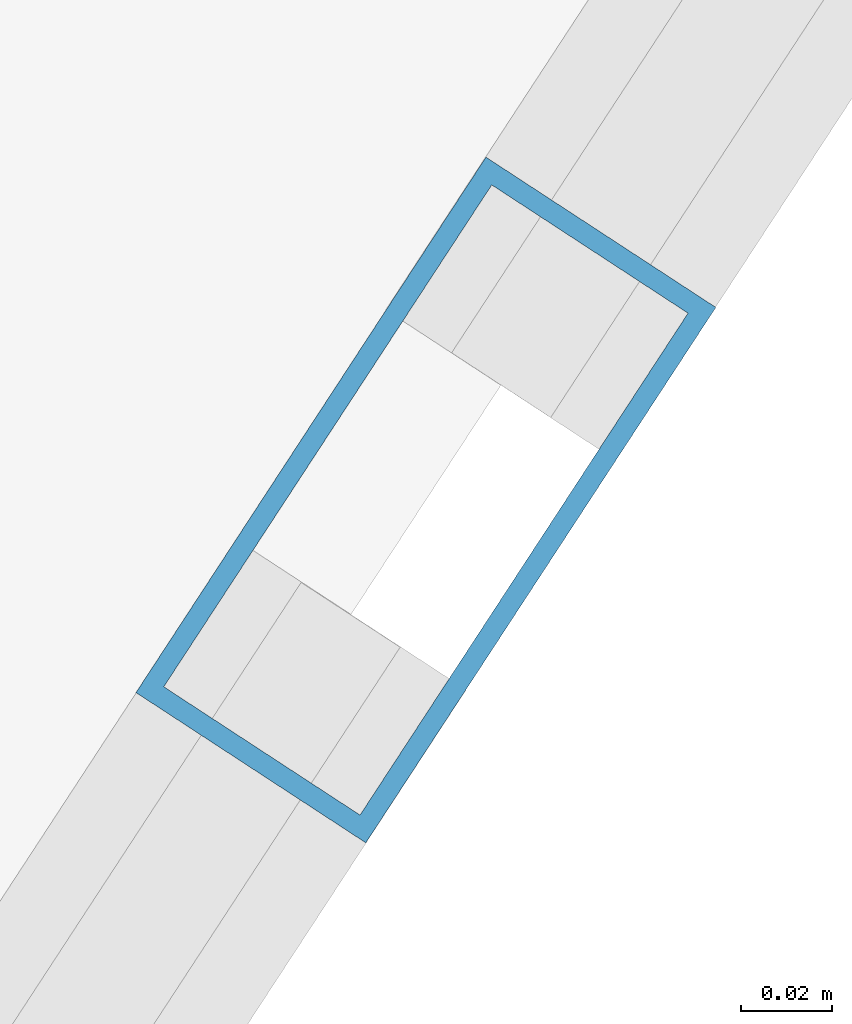
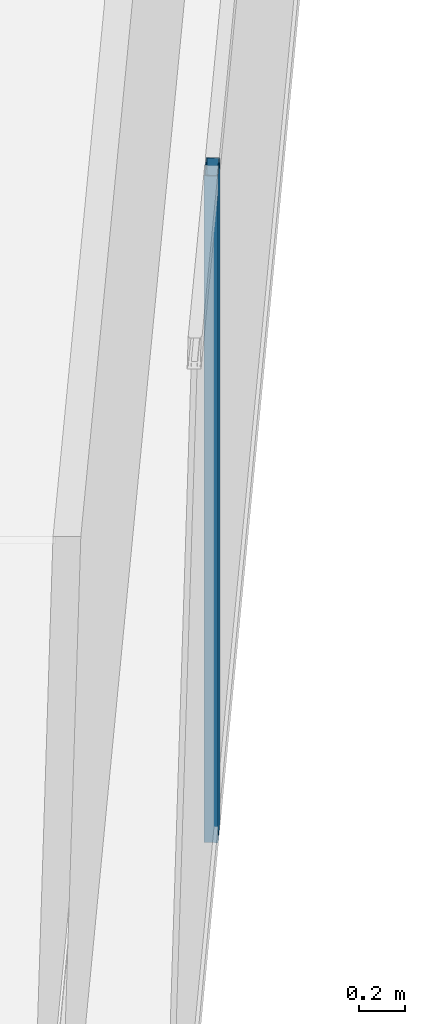
# One storey, part 14 of 25: 1 member, 1 element without a shape of its own.
"""IFC4 building model written with IfcOpenShell, lengths in metres."""

import ifcopenshell
import ifcopenshell.guid

model = None  # the IFC model being written
_history = None  # IfcOwnerHistory: only IFC2X3 demands one
_inside = {}  # id of a spatial element -> (the spatial element, [elements in it])
_under = {}  # id of a project, library or spatial element -> (it, [spatial elements below it])
_declared = {}  # id of a project -> (the project, [libraries it declares])
_typed = {}  # id of a type object -> (the type object, [elements of that type])
_made_of = {}  # id of a material, layer set ... -> (it, [elements and type objects made of it])


def new_model(schema):
    """Start an empty IFC model of exactly this schema.

    Asked for "IFC4X3", IfcOpenShell would pick the latest addendum, in which some entities
    have other attributes; the version numbers below select the first issue.
    IFC2X3 requires an IfcOwnerHistory on every rooted entity: one is made here for all.
    """
    global model, _history
    if schema == "IFC4X3":
        model = ifcopenshell.file(schema_version=(4, 3, 0, 0))
    else:
        model = ifcopenshell.file(schema=schema)
    _inside.clear()
    _under.clear()
    _declared.clear()
    _typed.clear()
    _made_of.clear()
    _history = None
    if model.schema == "IFC2X3":
        org = make("IfcOrganization", Name="unknown")
        user = make(
            "IfcPersonAndOrganization",
            ThePerson=make("IfcPerson", FamilyName="unknown"),
            TheOrganization=org,
        )
        app = make(
            "IfcApplication",
            ApplicationDeveloper=org,
            Version="unknown",
            ApplicationFullName="unknown",
            ApplicationIdentifier="unknown",
        )
        _history = make(
            "IfcOwnerHistory",
            OwningUser=user,
            OwningApplication=app,
            ChangeAction="ADDED",
            CreationDate=0,
        )
    return model


def make(cls, **values):
    """One entity of the class cls with the attributes given. An attribute that is None is left unset."""
    return model.create_entity(
        cls, **{name: value for name, value in values.items() if value is not None}
    )


def rooted(cls, **values):
    """An entity with a GlobalId (a new one), such as an element, a storey or a relation."""
    return make(cls, GlobalId=ifcopenshell.guid.new(), OwnerHistory=_history, **values)


def si_unit(unit_type, name, prefix=None):
    """IfcSIUnit, for example si_unit("LENGTHUNIT", "METRE", prefix="MILLI")."""
    return make("IfcSIUnit", UnitType=unit_type, Prefix=prefix, Name=name)


def assignment(units):
    """IfcUnitAssignment: the units of a project."""
    return None if units is None else make("IfcUnitAssignment", Units=units)


def point(xyz):
    """IfcCartesianPoint."""
    return None if xyz is None else make("IfcCartesianPoint", Coordinates=xyz)


def direction(xyz):
    """IfcDirection."""
    return None if xyz is None else make("IfcDirection", DirectionRatios=xyz)


def frame(location, z_axis=None, x_axis=None):
    """IfcAxis2Placement3D, a coordinate frame: its origin and axes. An axis left out is left unset."""
    return make(
        "IfcAxis2Placement3D",
        Location=point(location),
        Axis=direction(z_axis),
        RefDirection=direction(x_axis),
    )


def frame_2d(location, x_axis=None):
    """IfcAxis2Placement2D, a coordinate frame in the plane: its origin and x axis."""
    return make(
        "IfcAxis2Placement2D", Location=point(location), RefDirection=direction(x_axis)
    )


def origin():
    """The frame at (0, 0, 0) with its axes left unset."""
    return frame((0.0, 0.0, 0.0))


def origin_2d():
    """The frame at (0, 0) in the plane with its x axis left unset."""
    return frame_2d((0.0, 0.0))


def place(relative_to, where):
    """IfcLocalPlacement: puts the frame where relative to a parent placement (None: the world)."""
    return make(
        "IfcLocalPlacement", PlacementRelTo=relative_to, RelativePlacement=where
    )


def context(
    kind, dimensions, precision=None, world=None, true_north=None, identifier=None
):
    """IfcGeometricRepresentationContext, for example the 3D "Model" context."""
    return make(
        "IfcGeometricRepresentationContext",
        ContextIdentifier=identifier,
        ContextType=kind,
        CoordinateSpaceDimension=dimensions,
        Precision=precision,
        WorldCoordinateSystem=world,
        TrueNorth=true_north,
    )


def subcontext(parent, identifier, kind, view, scale=None):
    """IfcGeometricRepresentationSubContext, for example "Body" below "Model"."""
    return make(
        "IfcGeometricRepresentationSubContext",
        ContextIdentifier=identifier,
        ContextType=kind,
        ParentContext=parent,
        TargetScale=scale,
        TargetView=view,
    )


def project(units=None, contexts=None):
    """IfcProject with its units and contexts."""
    return rooted(
        "IfcProject",
        Name="project",
        RepresentationContexts=contexts,
        UnitsInContext=assignment(units),
    )


def spatial(cls, under=None, at=None, **own):
    """A site, building, storey or space (cls), placed at a placement, below another one or the project."""
    s = rooted(cls, ObjectPlacement=at, **own)
    if under is not None:
        _under.setdefault(under.id(), (under, []))[1].append(s)
    return s


def profile(cls, at=None, kind="AREA", **sizes):
    """A parametric profile (cls). Its sizes go by their IFC names, for example OverallWidth=200.0."""
    return make(cls, ProfileType=kind, Position=at, **sizes)


def hollow_rectangle(**sizes):
    """IfcRectangleHollowProfileDef."""
    return profile("IfcRectangleHollowProfileDef", **sizes)


def extrude(swept, where, along, depth):
    """IfcExtrudedAreaSolid: the profile swept, set in the frame where, extruded along a direction by depth."""
    return make(
        "IfcExtrudedAreaSolid",
        SweptArea=swept,
        Position=where,
        ExtrudedDirection=direction(along),
        Depth=depth,
    )


def shape(context_of_items, identifier, shape_type, items):
    """IfcShapeRepresentation: the items that make up one representation, for example the "Body"."""
    return make(
        "IfcShapeRepresentation",
        ContextOfItems=context_of_items,
        RepresentationIdentifier=identifier,
        RepresentationType=shape_type,
        Items=items,
    )


def material(Name=None, Category=None):
    """IfcMaterial."""
    return make("IfcMaterial", Name=Name, Category=Category)


def layer(
    of_material, thickness, ventilated=None, Name=None, Category=None, Priority=None
):
    """IfcMaterialLayer: one layer of a wall or slab, of a material (None: an air gap)."""
    return make(
        "IfcMaterialLayer",
        Material=of_material,
        LayerThickness=thickness,
        IsVentilated=ventilated,
        Name=Name,
        Category=Category,
        Priority=Priority,
    )


def layer_set(layers, Name=None):
    """IfcMaterialLayerSet."""
    return make("IfcMaterialLayerSet", MaterialLayers=layers, LayerSetName=Name)


def material_profile(
    of_material, cross_section, Name=None, Category=None, Priority=None
):
    """IfcMaterialProfile: a cross section and its material."""
    return make(
        "IfcMaterialProfile",
        Name=Name,
        Material=of_material,
        Profile=cross_section,
        Priority=Priority,
        Category=Category,
    )


def profile_set(profiles, Name=None, composite=None):
    """IfcMaterialProfileSet."""
    return make(
        "IfcMaterialProfileSet",
        Name=Name,
        MaterialProfiles=profiles,
        CompositeProfile=composite,
    )


def made_of(thing, what):
    """Note that an element or type object is made of a material, layer set ...; save() writes the relation."""
    if what is not None:
        _made_of.setdefault(what.id(), (what, []))[1].append(thing)
    return thing


def type_object(cls, material=None, **own):
    """A type object (cls), such as IfcWallType, which elements share."""
    return made_of(rooted(cls, **own), material)


def element(
    cls,
    number,
    at=None,
    inside=None,
    cuts=None,
    type_object=None,
    material=None,
    context=None,
    identifier="Body",
    shape_type=None,
    held_by="IfcProductDefinitionShape",
    body=None,
    shapes=None,
    **own,
):
    """One element of the class cls, such as IfcWall. Its Tag is "e" and its number.

    at: its placement. inside: the storey or other place that contains it. cuts: it is an
    opening in that element (IfcRelVoidsElement). A single representation is given by context,
    identifier, shape_type and body (its items); several are given by shapes. held_by: the class
    of the entity that holds the representations. save() writes the other relations.
    """
    e = rooted(cls, Tag="e%d" % number, ObjectPlacement=at, **own)
    if body is not None:
        shapes = [shape(context, identifier, shape_type, body)]
    if shapes is not None:
        e.Representation = make(held_by, Representations=shapes)
    if inside is not None:
        _inside.setdefault(inside.id(), (inside, []))[1].append(e)
    if cuts is not None:
        rooted(
            "IfcRelVoidsElement", RelatingBuildingElement=cuts, RelatedOpeningElement=e
        )
    if type_object is not None:
        _typed.setdefault(type_object.id(), (type_object, []))[1].append(e)
    return made_of(e, material)


def aggregate(whole, parts):
    """IfcRelAggregates: a whole, such as a stair, and the parts it consists of."""
    return rooted("IfcRelAggregates", RelatingObject=whole, RelatedObjects=parts)


def save(model, path):
    """Write the relations noted so far, then the file.

    IfcRelAggregates (storeys below a building ...), IfcRelContainedInSpatialStructure (elements
    in a storey), IfcRelDefinesByType, IfcRelAssociatesMaterial and IfcRelDeclares: one each for
    every whole, place, type object, material and project.
    """
    for whole, parts in _under.values():
        aggregate(whole, parts)
    for where, things in _inside.values():
        rooted(
            "IfcRelContainedInSpatialStructure",
            RelatedElements=things,
            RelatingStructure=where,
        )
    for kind, things in _typed.values():
        rooted("IfcRelDefinesByType", RelatedObjects=things, RelatingType=kind)
    for what, things in _made_of.values():
        rooted("IfcRelAssociatesMaterial", RelatedObjects=things, RelatingMaterial=what)
    for by, libraries in _declared.values():
        rooted("IfcRelDeclares", RelatingContext=by, RelatedDefinitions=libraries)
    model.write(path)


model = new_model("IFC4")

# Units and contexts
model_context = context("Model", 3, precision=1e-05, world=origin(), true_north=direction((0.0, 1.0)))
body_context = subcontext(model_context, "Body", "Model", "MODEL_VIEW")
ifc_project = project(units=[si_unit("LENGTHUNIT", "METRE"), si_unit("AREAUNIT", "SQUARE_METRE"), si_unit("VOLUMEUNIT", "CUBIC_METRE"), si_unit("PLANEANGLEUNIT", "RADIAN"), si_unit("MASSUNIT", "GRAM", prefix="KILO")], contexts=[model_context])

# Site, building, storey
site_placement = place(None, origin())
site = spatial("IfcSite", under=ifc_project, at=site_placement, CompositionType="ELEMENT")
building_placement = place(site_placement, origin())
building = spatial("IfcBuilding", under=site, at=building_placement, Name="Qianvela Tower", CompositionType="ELEMENT")
storey_placement = place(building_placement, frame((0.0, 0.0, 291.699951171875)))
storey = spatial("IfcBuildingStorey", under=building, at=storey_placement, Name="L75", CompositionType="ELEMENT", Elevation=291.699951171875)

# Curtain wall, member
ifc_material_1 = material(Name="Anodised Architectural Aluminium and Low-E Glass", Category="aluminium")
ifc_layer = layer(ifc_material_1, 0.14990234375)
ifc_layer_set = layer_set([ifc_layer], Name="Anodised Architectural Aluminium and Low-E Glass")
curtain_wall_type = type_object("IfcCurtainWallType", Name="CW-COLIV-Z78", PredefinedType="USERDEFINED", material=ifc_layer_set)
curtain_wall_placement = place(storey_placement, origin())
curtain_wall = element("IfcCurtainWall", 1, at=curtain_wall_placement, inside=storey, type_object=curtain_wall_type, Name="L75 CW-COLIV-Z78 Curtain Wall 06C", ObjectType="CURTAIN_WALL_SYSTEM", PredefinedType="USERDEFINED")
ifc_material_2 = material(Name="Anodised Architectural Aluminium 6063-T6", Category="aluminium")
ifc_material_profile = material_profile(ifc_material_2, hollow_rectangle(XDim=0.06005859375, YDim=0.139892578125, WallThickness=0.00439453125, at=origin_2d()), Name="ALU-MULL-60x140")
ifc_profile_set = profile_set([ifc_material_profile], Name="Anodised Architectural Aluminium 6063-T6")
member_type = type_object("IfcMemberType", Name="CW-COLIV-Z78-MULL", PredefinedType="MULLION", material=ifc_profile_set)
member_placement = place(storey_placement, frame((49.123046875, 23.87939453125, 0.0), z_axis=(0.0, 0.0, 1.0), x_axis=(-0.837077998993, 0.547083561809, 0.0)))
member = element("IfcMember", 2, at=member_placement, type_object=member_type, Name="CW-6 mullion 3", PredefinedType="MULLION", context=body_context, shape_type="SweptSolid", body=[
    extrude(hollow_rectangle(XDim=0.06005859375, YDim=0.139892578125, WallThickness=0.00439453125, at=origin_2d()), origin(), (0.0, 0.0, 1.0), 3.52001953125),
])
aggregate(curtain_wall, [member])

save(model, "model.ifc")
